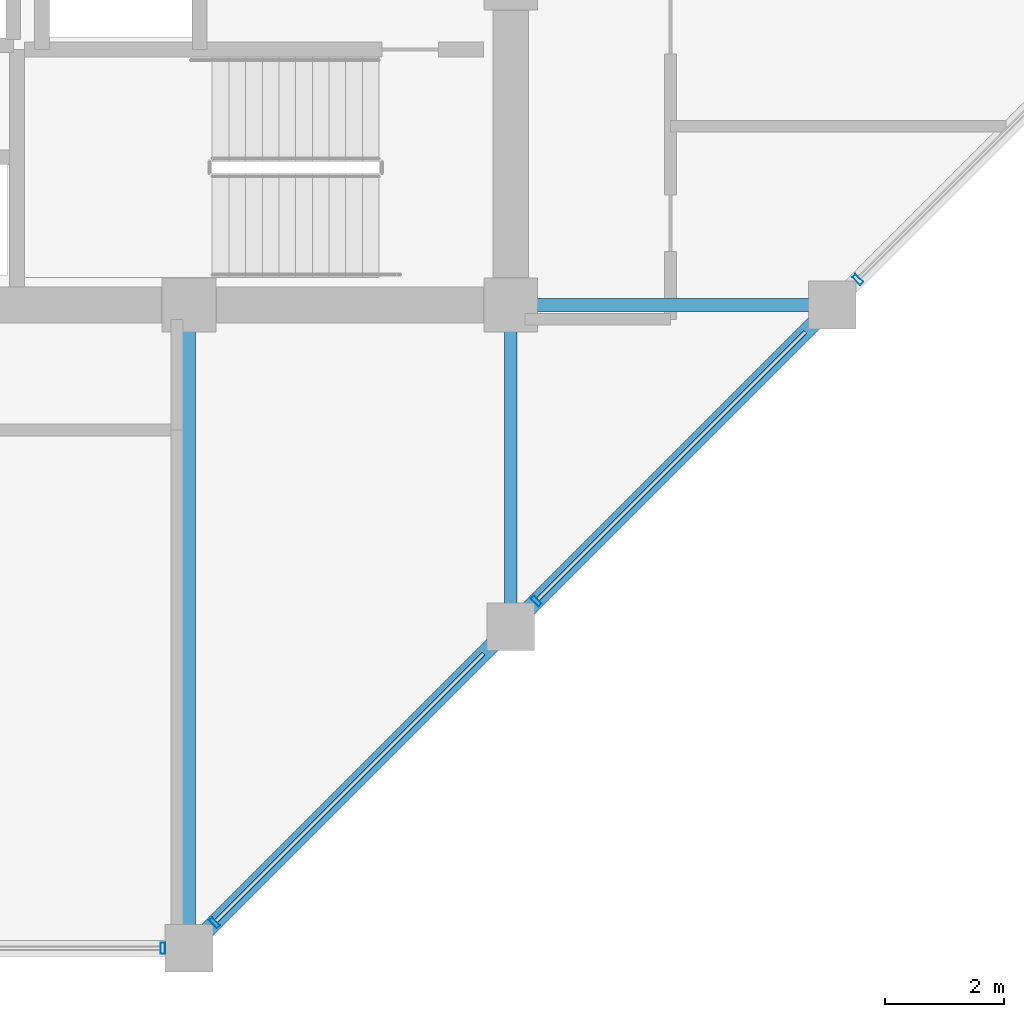
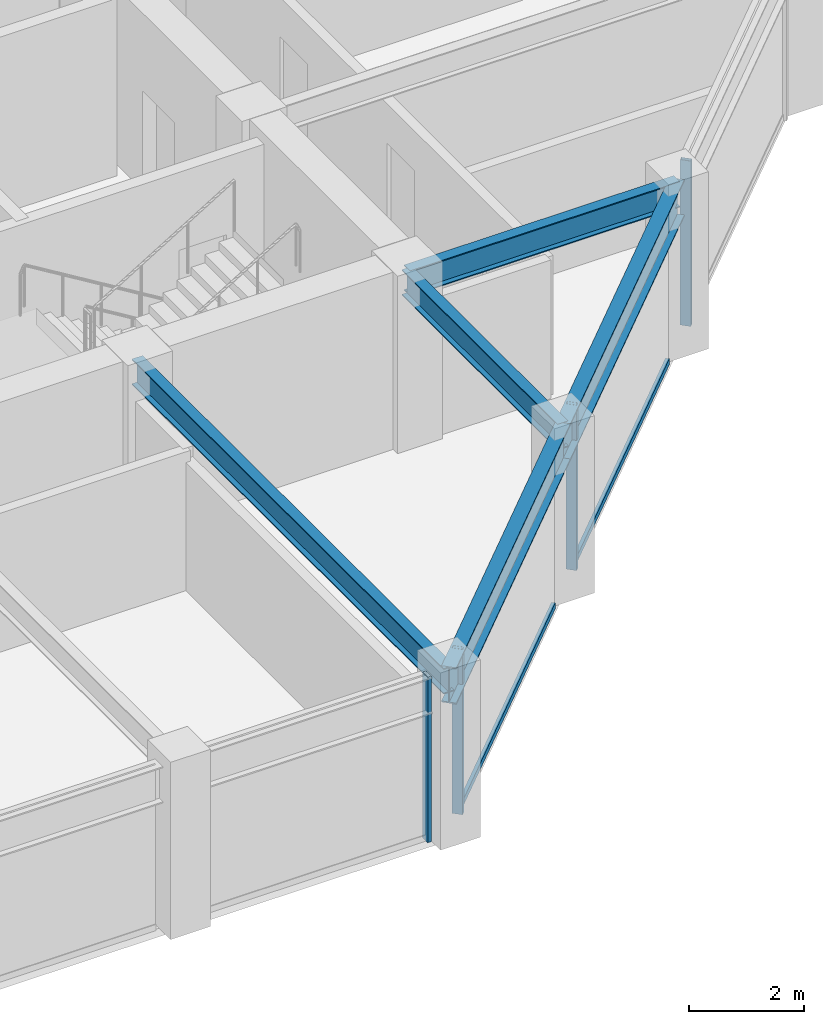
# One storey, part 9 of 28: 6 members, 5 beams, 2 elements without a shape of their own.
"""IFC4 building model written with IfcOpenShell, lengths in metres."""

from ifc_helpers import new_model, si_unit, direction, frame, origin, origin_2d, place, context, subcontext, project, spatial, hollow_rectangle, i_section, extrude, material, layer, layer_set, material_profile, profile_set, type_object, element, aggregate, save


model = new_model("IFC4")

# Units and contexts
model_context = context("Model", 3, precision=1e-05, world=origin(), true_north=direction((0.0, 1.0)))
body_context = subcontext(model_context, "Body", "Model", "MODEL_VIEW")
ifc_project = project(units=[si_unit("LENGTHUNIT", "METRE"), si_unit("AREAUNIT", "SQUARE_METRE"), si_unit("VOLUMEUNIT", "CUBIC_METRE"), si_unit("PLANEANGLEUNIT", "RADIAN"), si_unit("MASSUNIT", "GRAM", prefix="KILO")], contexts=[model_context])

# Site, building, storey
site_placement = place(None, origin())
site = spatial("IfcSite", under=ifc_project, at=site_placement, CompositionType="ELEMENT")
building_placement = place(site_placement, origin())
building = spatial("IfcBuilding", under=site, at=building_placement, Name="Surkhivell Harbour Commons", CompositionType="ELEMENT")
storey_placement = place(building_placement, frame((0.0, 0.0, 246.0)))
storey = spatial("IfcBuildingStorey", under=building, at=storey_placement, Name="L64", CompositionType="ELEMENT", Elevation=246.0)

# Beams
ifc_material_1 = material(Name="Steel S355", Category="steel")
ifc_material_profile_1 = material_profile(ifc_material_1, i_section(OverallWidth=0.2119140625, OverallDepth=0.5439453125, WebThickness=0.0126953125, FlangeThickness=0.021240234375, at=origin_2d()), Name="UB533x210x122")
ifc_profile_set_1 = profile_set([ifc_material_profile_1], Name="Steel S355")
beam_type_1 = type_object("IfcBeamType", Name="BM-GRD-533A", PredefinedType="BEAM", material=ifc_profile_set_1)
beam_1_placement = place(storey_placement, frame((5.39990234375, -21.60009765625, 3.22802734375), z_axis=(0.0, 1.0, 0.0), x_axis=(-1.0, 0.0, 0.0)))
element("IfcBeam", 1, at=beam_1_placement, inside=storey, type_object=beam_type_1, Name="L64 Floor Girder (5.4,-21.6)", PredefinedType="BEAM", context=body_context, shape_type="SweptSolid", body=[
    extrude(i_section(OverallWidth=0.2119140625, OverallDepth=0.5439453125, WebThickness=0.0126953125, FlangeThickness=0.021240234375, at=origin_2d()), origin(), (0.0, 0.0, 1.0), 10.800048828125),
])
for number, where, z_axis, x_axis, name in (
    (2, (10.800048828125, -16.199951171875, 3.22802734375), (0.0, 1.0, 0.0), (-1.0, 0.0, 0.0), "L64 Floor Girder (10.8,-16.2)"),
    (3, (10.800048828125, -10.800048828125, 3.22802734375), (1.0, 0.0, 0.0), (0.0, 1.0, 0.0), "L64 Floor Girder (10.8,-10.8)"),
):
    element("IfcBeam", number, at=place(storey_placement, frame(where, z_axis=z_axis, x_axis=x_axis)), inside=storey, type_object=beam_type_1, Name=name, PredefinedType="BEAM", context=body_context, shape_type="SweptSolid", body=[
        extrude(i_section(OverallWidth=0.2119140625, OverallDepth=0.5439453125, WebThickness=0.0126953125, FlangeThickness=0.021240234375, at=origin_2d()), origin(), (0.0, 0.0, 1.0), 5.39990234375),
    ])
ifc_material_profile_2 = material_profile(ifc_material_1, i_section(OverallWidth=0.26806640625, OverallDepth=0.77001953125, WebThickness=0.015625, FlangeThickness=0.025390625, at=origin_2d()), Name="UB762x267x197")
ifc_profile_set_2 = profile_set([ifc_material_profile_2], Name="Steel S355")
beam_type_2 = type_object("IfcBeamType", Name="BM-SPN-762", PredefinedType="SPANDREL", material=ifc_profile_set_2)
beam_2_placement = place(storey_placement, frame((5.39990234375, -21.60009765625, 3.114990234375), z_axis=(0.707106781187, 0.707106781187, 0.0), x_axis=(-0.707106781187, 0.707106781187, 0.0)))
element("IfcBeam", 4, at=beam_2_placement, inside=storey, type_object=beam_type_2, Name="L64 Tube Spandrel (5.4,-21.6)", PredefinedType="SPANDREL", context=body_context, shape_type="SweptSolid", body=[
    extrude(i_section(OverallWidth=0.26806640625, OverallDepth=0.77001953125, WebThickness=0.015625, FlangeThickness=0.025390625, at=origin_2d()), origin(), (0.0, 0.0, 1.0), 7.636962890625),
])
beam_3_placement = place(storey_placement, frame((10.800048828125, -16.199951171875, 3.114990234375), z_axis=(0.707106781187, 0.707106781187, 0.0), x_axis=(-0.707106781187, 0.707106781187, 0.0)))
element("IfcBeam", 5, at=beam_3_placement, inside=storey, type_object=beam_type_2, Name="L64 Tube Spandrel (10.8,-16.2)", PredefinedType="SPANDREL", context=body_context, shape_type="SweptSolid", body=[
    extrude(i_section(OverallWidth=0.26806640625, OverallDepth=0.77001953125, WebThickness=0.015625, FlangeThickness=0.025390625, at=origin_2d()), origin(), (0.0, 0.0, 1.0), 7.63671875),
])

# Curtain wall, member
ifc_material_2 = material(Name="Anodised pale-metal aluminium and insulated glazing", Category="aluminium")
ifc_layer = layer(ifc_material_2, 0.18994140625)
ifc_layer_set = layer_set([ifc_layer], Name="Anodised pale-metal aluminium and insulated glazing")
curtain_wall_type = type_object("IfcCurtainWallType", Name="CW-SYS-Z3", PredefinedType="NOTDEFINED", material=ifc_layer_set)
curtain_wall_1_placement = place(storey_placement, origin())
curtain_wall_1 = element("IfcCurtainWall", 6, at=curtain_wall_1_placement, inside=storey, type_object=curtain_wall_type, Name="L64 Curtain Wall CW-L64-E00S2", PredefinedType="NOTDEFINED")
ifc_material_3 = material(Name="Anodised pale-metal aluminium alloy 6063-T6", Category="aluminium")
ifc_material_profile_3 = material_profile(ifc_material_3, hollow_rectangle(XDim=0.074951171875, YDim=0.18994140625, WallThickness=0.00390625, at=origin_2d()), Name="ALU-MULL-75x190")
ifc_profile_set_3 = profile_set([ifc_material_profile_3], Name="Anodised pale-metal aluminium alloy 6063-T6")
member_type_1 = type_object("IfcMemberType", Name="CWM-190", PredefinedType="MULLION", material=ifc_profile_set_3)
member_1_placement = place(storey_placement, frame((4.96044921875, -21.60009765625, 0.0), z_axis=(0.0, 0.0, 1.0), x_axis=(1.0, 0.0, 0.0)))
member_1 = element("IfcMember", 7, at=member_1_placement, type_object=member_type_1, Name="CW-Z3 mullion 3", PredefinedType="MULLION", context=body_context, shape_type="SweptSolid", body=[
    extrude(hollow_rectangle(XDim=0.074951171875, YDim=0.18994140625, WallThickness=0.00390625, at=origin_2d()), origin(), (0.0, 0.0, 1.0), 3.5),
])
aggregate(curtain_wall_1, [member_1])

# Curtain wall, members
curtain_wall_2_placement = place(storey_placement, origin())
curtain_wall_2 = element("IfcCurtainWall", 8, at=curtain_wall_2_placement, inside=storey, type_object=curtain_wall_type, Name="L64 Curtain Wall CW-L64-E01", PredefinedType="NOTDEFINED")
member_2_placement = place(storey_placement, frame((5.828125, -21.171875, 0.0), z_axis=(0.0, 0.0, 1.0), x_axis=(0.707106781187, 0.707106781187, 0.0)))
member_2 = element("IfcMember", 9, at=member_2_placement, type_object=member_type_1, Name="CW-Z3 mullion 1", PredefinedType="MULLION", context=body_context, shape_type="SweptSolid", body=[
    extrude(hollow_rectangle(XDim=0.074951171875, YDim=0.18994140625, WallThickness=0.00390625, at=origin_2d()), origin(), (0.0, 0.0, 1.0), 3.5),
])
member_3_placement = place(storey_placement, frame((11.228271484375, -15.771728515625, 0.0), z_axis=(0.0, 0.0, 1.0), x_axis=(0.707106781187, 0.707106781187, 0.0)))
member_3 = element("IfcMember", 10, at=member_3_placement, type_object=member_type_1, Name="CW-Z3 mullion 2", PredefinedType="MULLION", context=body_context, shape_type="SweptSolid", body=[
    extrude(hollow_rectangle(XDim=0.074951171875, YDim=0.18994140625, WallThickness=0.00390625, at=origin_2d()), origin(), (0.0, 0.0, 1.0), 3.5),
])
member_4_placement = place(storey_placement, frame((16.628173828125, -10.371826171875, 0.0), z_axis=(0.0, 0.0, 1.0), x_axis=(0.707106781187, 0.707106781187, 0.0)))
member_4 = element("IfcMember", 11, at=member_4_placement, type_object=member_type_1, Name="CW-Z3 mullion 3", PredefinedType="MULLION", context=body_context, shape_type="SweptSolid", body=[
    extrude(hollow_rectangle(XDim=0.074951171875, YDim=0.18994140625, WallThickness=0.00390625, at=origin_2d()), origin(), (0.0, 0.0, 1.0), 3.5),
])
ifc_material_4 = material(Name="Champagne anodised aluminium alloy 6063-T6", Category="aluminium")
ifc_material_profile_4 = material_profile(ifc_material_4, hollow_rectangle(XDim=0.070068359375, YDim=0.1298828125, WallThickness=0.00341796875, at=origin_2d()), Name="ALU-TRAN-70x130")
ifc_profile_set_4 = profile_set([ifc_material_profile_4], Name="Champagne anodised aluminium alloy 6063-T6")
member_type_2 = type_object("IfcMemberType", Name="CWT-130", PredefinedType="USERDEFINED", material=ifc_profile_set_4)
member_5_placement = place(storey_placement, frame((5.854736328125, -21.145263671875, 0.06494140625), z_axis=(0.707106781187, 0.707106781187, 0.0), x_axis=(-0.707106781187, 0.707106781187, 0.0)))
member_5 = element("IfcMember", 12, at=member_5_placement, type_object=member_type_2, Name="CW-Z3 transom 1.1", ObjectType="TRANSOM", PredefinedType="USERDEFINED", context=body_context, shape_type="SweptSolid", body=[
    extrude(hollow_rectangle(XDim=0.070068359375, YDim=0.1298828125, WallThickness=0.00341796875, at=origin_2d()), origin(), (0.0, 0.0, 1.0), 6.3505859375),
])
member_6_placement = place(storey_placement, frame((11.254638671875, -15.745361328125, 0.06494140625), z_axis=(0.707106781187, 0.707106781187, 0.0), x_axis=(-0.707106781187, 0.707106781187, 0.0)))
member_6 = element("IfcMember", 13, at=member_6_placement, type_object=member_type_2, Name="CW-Z3 transom 2.1", ObjectType="TRANSOM", PredefinedType="USERDEFINED", context=body_context, shape_type="SweptSolid", body=[
    extrude(hollow_rectangle(XDim=0.070068359375, YDim=0.1298828125, WallThickness=0.00341796875, at=origin_2d()), origin(), (0.0, 0.0, 1.0), 6.350830078125),
])
aggregate(curtain_wall_2, [member_2, member_5, member_3, member_6, member_4])

save(model, "model.ifc")
